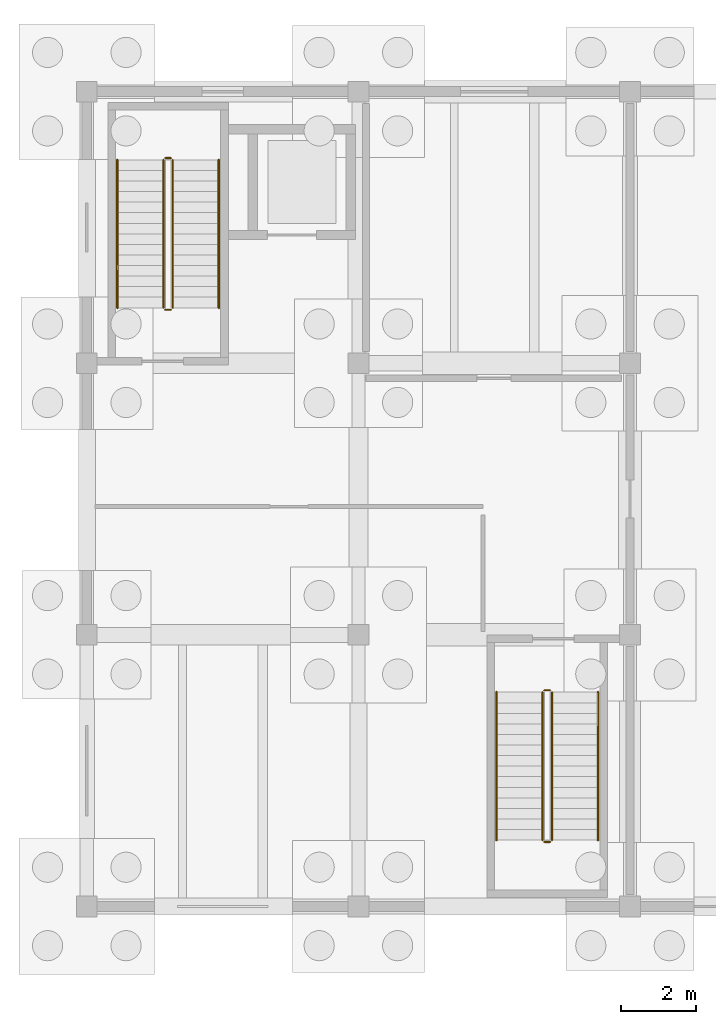
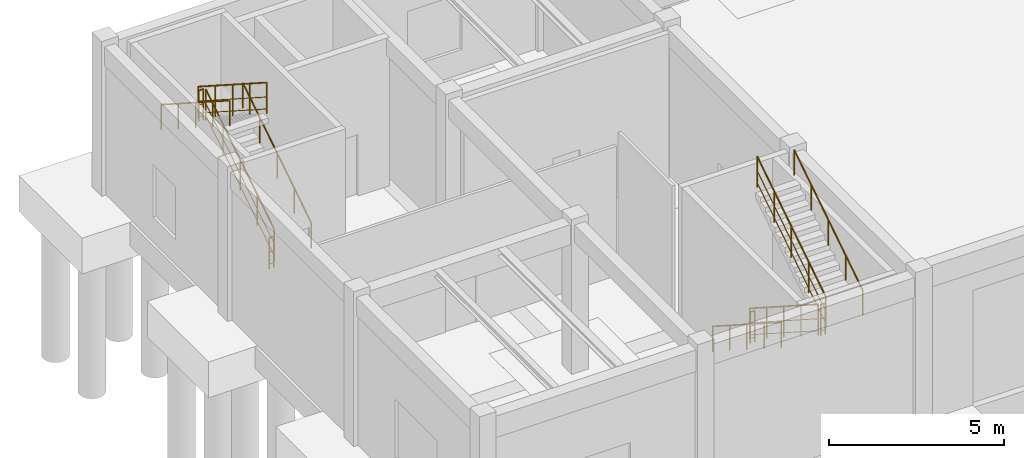
# One storey, part 88 of 93: 12 railings.
"""IFC4 building model written with IfcOpenShell, lengths in metres."""

from ifc_helpers import new_model, si_unit, direction, frame, origin, origin_2d, place, context, subcontext, project, spatial, circle, extrude, material, layer, layer_set, type_object, element, save


model = new_model("IFC4")

# Units and contexts
model_context = context("Model", 3, precision=1e-05, world=origin(), true_north=direction((0.0, 1.0)))
body_context = subcontext(model_context, "Body", "Model", "MODEL_VIEW")
ifc_project = project(units=[si_unit("LENGTHUNIT", "METRE"), si_unit("AREAUNIT", "SQUARE_METRE"), si_unit("VOLUMEUNIT", "CUBIC_METRE"), si_unit("PLANEANGLEUNIT", "RADIAN"), si_unit("MASSUNIT", "GRAM", prefix="KILO")], contexts=[model_context])

# Site, building, storey
site_placement = place(None, origin())
site = spatial("IfcSite", under=ifc_project, at=site_placement, CompositionType="ELEMENT")
building_placement = place(site_placement, origin())
building = spatial("IfcBuilding", under=site, at=building_placement, Name="Koriwan Promenade Central Fire Station", CompositionType="ELEMENT")
storey_placement = place(building_placement, origin())
storey = spatial("IfcBuildingStorey", under=building, at=storey_placement, Name="L00", CompositionType="ELEMENT", Elevation=0.0)

# Railings
ifc_material_1 = material(Name="Steel ASTM A500 Grade C", Category="steel")
ifc_layer_1 = layer(ifc_material_1, 0.050048828125, Name="Steel ASTM A500 Grade C")
ifc_layer_set_1 = layer_set([ifc_layer_1], Name="Steel ASTM A500 Grade C")
railing_type_1 = type_object("IfcRailingType", Name="StairGuard_1100", PredefinedType="BALUSTRADE", material=ifc_layer_set_1)
railing_1_placement = place(storey_placement, frame((2.280029296875, 109.469970703125, 0.179931640625)))
element("IfcRailing", 1, at=railing_1_placement, inside=storey, type_object=railing_type_1, Name="L00 ST32 stair guard 1", PredefinedType="BALUSTRADE", context=body_context, shape_type="SweptSolid", body=[
    extrude(circle(Radius=0.02392578125, at=origin_2d()), frame((0.0, 0.0, 1.076171875), z_axis=(0.0, 0.841171666519, 0.540768182723), x_axis=(-1.0, 0.0, 0.0)), (0.0, 0.0, 1.0), 4.66015625),
    extrude(circle(Radius=0.012939453125, at=origin_2d()), frame((0.0, 0.0, 0.572021484375), z_axis=(0.0, 0.841171666519, 0.540768182723), x_axis=(-1.0, 0.0, 0.0)), (0.0, 0.0, 1.0), 4.66015625),
    extrude(circle(Radius=0.012939453125, at=origin_2d()), frame((0.0, 0.0, 0.154052734375), z_axis=(0.0, 0.841171666519, 0.540768182723), x_axis=(-1.0, 0.0, 0.0)), (0.0, 0.0, 1.0), 4.66015625),
    extrude(circle(Radius=0.02099609375, at=origin_2d()), origin(), (0.0, 0.0, 1.0), 1.052001953125),
    extrude(circle(Radius=0.02099609375, at=origin_2d()), frame((0.0, 0.97998046875, 0.6298828125)), (0.0, 0.0, 1.0), 1.052001953125),
    extrude(circle(Radius=0.02099609375, at=origin_2d()), frame((0.0, 1.9599609375, 1.260009765625)), (0.0, 0.0, 1.0), 1.052001953125),
    extrude(circle(Radius=0.02099609375, at=origin_2d()), frame((0.0, 2.93994140625, 1.89013671875)), (0.0, 0.0, 1.0), 1.052001953125),
    extrude(circle(Radius=0.02099609375, at=origin_2d()), frame((0.0, 3.919921875, 2.52001953125)), (0.0, 0.0, 1.0), 1.052001953125),
])
railing_2_placement = place(storey_placement, frame((2.22998046875, 113.43994140625, 2.699951171875)))
element("IfcRailing", 2, at=railing_2_placement, inside=storey, type_object=railing_type_1, Name="L00 ST32 stair guard 2", PredefinedType="BALUSTRADE", context=body_context, shape_type="SweptSolid", body=[
    extrude(circle(Radius=0.02392578125, at=origin_2d()), frame((0.0, 0.0, 1.076171875), z_axis=(-1.0, 0.0, 0.0), x_axis=(0.0, -1.0, 0.0)), (0.0, 0.0, 1.0), 0.14990234375),
    extrude(circle(Radius=0.012939453125, at=origin_2d()), frame((0.0, 0.0, 0.572021484375), z_axis=(-1.0, 0.0, 0.0), x_axis=(0.0, -1.0, 0.0)), (0.0, 0.0, 1.0), 0.14990234375),
    extrude(circle(Radius=0.012939453125, at=origin_2d()), frame((0.0, 0.0, 0.154052734375), z_axis=(-1.0, 0.0, 0.0), x_axis=(0.0, -1.0, 0.0)), (0.0, 0.0, 1.0), 0.14990234375),
    extrude(circle(Radius=0.02099609375, at=origin_2d()), origin(), (0.0, 0.0, 1.0), 1.052001953125),
    extrude(circle(Radius=0.02099609375, at=origin_2d()), frame((-0.14990234375, 0.0, 0.0)), (0.0, 0.0, 1.0), 1.052001953125),
])
railing_3_placement = place(storey_placement, frame((2.030029296875, 113.389892578125, 2.8798828125)))
element("IfcRailing", 3, at=railing_3_placement, inside=storey, type_object=railing_type_1, Name="L00 ST32 stair guard 3", PredefinedType="BALUSTRADE", context=body_context, shape_type="SweptSolid", body=[
    extrude(circle(Radius=0.02392578125, at=origin_2d()), frame((0.0, 0.0, 1.076171875), z_axis=(0.0, -0.841171666519, 0.540768182723), x_axis=(1.0, 0.0, 0.0)), (0.0, 0.0, 1.0), 4.66015625),
    extrude(circle(Radius=0.012939453125, at=origin_2d()), frame((0.0, 0.0, 0.572021484375), z_axis=(0.0, -0.841171666519, 0.540768182723), x_axis=(1.0, 0.0, 0.0)), (0.0, 0.0, 1.0), 4.66015625),
    extrude(circle(Radius=0.012939453125, at=origin_2d()), frame((0.0, 0.0, 0.154052734375), z_axis=(0.0, -0.841171666519, 0.540768182723), x_axis=(1.0, 0.0, 0.0)), (0.0, 0.0, 1.0), 4.66015625),
    extrude(circle(Radius=0.02099609375, at=origin_2d()), origin(), (0.0, 0.0, 1.0), 1.052001953125),
    extrude(circle(Radius=0.02099609375, at=origin_2d()), frame((0.0, -0.97998046875, 0.6298828125)), (0.0, 0.0, 1.0), 1.052001953125),
    extrude(circle(Radius=0.02099609375, at=origin_2d()), frame((0.0, -1.9599609375, 1.260009765625)), (0.0, 0.0, 1.0), 1.052001953125),
    extrude(circle(Radius=0.02099609375, at=origin_2d()), frame((0.0, -2.93994140625, 1.89013671875)), (0.0, 0.0, 1.0), 1.052001953125),
    extrude(circle(Radius=0.02099609375, at=origin_2d()), frame((0.0, -3.919921875, 2.52001953125)), (0.0, 0.0, 1.0), 1.052001953125),
])
railing_4_placement = place(storey_placement, frame((2.22998046875, 109.419921875, 0.0)))
element("IfcRailing", 4, at=railing_4_placement, inside=storey, type_object=railing_type_1, Name="L00 ST32 stair guard 4", PredefinedType="BALUSTRADE", context=body_context, shape_type="SweptSolid", body=[
    extrude(circle(Radius=0.02392578125, at=origin_2d()), frame((0.0, 0.0, 1.076171875), z_axis=(-1.0, 0.0, 0.0), x_axis=(0.0, -1.0, 0.0)), (0.0, 0.0, 1.0), 0.14990234375),
    extrude(circle(Radius=0.012939453125, at=origin_2d()), frame((0.0, 0.0, 0.572021484375), z_axis=(-1.0, 0.0, 0.0), x_axis=(0.0, -1.0, 0.0)), (0.0, 0.0, 1.0), 0.14990234375),
    extrude(circle(Radius=0.012939453125, at=origin_2d()), frame((0.0, 0.0, 0.154052734375), z_axis=(-1.0, 0.0, 0.0), x_axis=(0.0, -1.0, 0.0)), (0.0, 0.0, 1.0), 0.14990234375),
    extrude(circle(Radius=0.02099609375, at=origin_2d()), origin(), (0.0, 0.0, 1.0), 1.052001953125),
    extrude(circle(Radius=0.02099609375, at=origin_2d()), frame((-0.14990234375, 0.0, 0.0)), (0.0, 0.0, 1.0), 1.052001953125),
])
railing_5_placement = place(storey_placement, frame((12.080078125, 99.280029296875, 0.179931640625)))
element("IfcRailing", 5, at=railing_5_placement, inside=storey, type_object=railing_type_1, Name="L00 ST33 stair guard 1", PredefinedType="BALUSTRADE", context=body_context, shape_type="SweptSolid", body=[
    extrude(circle(Radius=0.02392578125, at=origin_2d()), frame((0.0, 0.0, 1.076171875), z_axis=(0.0, -0.841171666519, 0.540768182723), x_axis=(1.0, 0.0, 0.0)), (0.0, 0.0, 1.0), 4.66015625),
    extrude(circle(Radius=0.012939453125, at=origin_2d()), frame((0.0, 0.0, 0.572021484375), z_axis=(0.0, -0.841171666519, 0.540768182723), x_axis=(1.0, 0.0, 0.0)), (0.0, 0.0, 1.0), 4.66015625),
    extrude(circle(Radius=0.012939453125, at=origin_2d()), frame((0.0, 0.0, 0.154052734375), z_axis=(0.0, -0.841171666519, 0.540768182723), x_axis=(1.0, 0.0, 0.0)), (0.0, 0.0, 1.0), 4.66015625),
    extrude(circle(Radius=0.02099609375, at=origin_2d()), origin(), (0.0, 0.0, 1.0), 1.052001953125),
    extrude(circle(Radius=0.02099609375, at=origin_2d()), frame((0.0, -0.97998046875, 0.6298828125)), (0.0, 0.0, 1.0), 1.052001953125),
    extrude(circle(Radius=0.02099609375, at=origin_2d()), frame((0.0, -1.9599609375, 1.260009765625)), (0.0, 0.0, 1.0), 1.052001953125),
    extrude(circle(Radius=0.02099609375, at=origin_2d()), frame((0.0, -2.93994140625, 1.89013671875)), (0.0, 0.0, 1.0), 1.052001953125),
    extrude(circle(Radius=0.02099609375, at=origin_2d()), frame((0.0, -3.919921875, 2.52001953125)), (0.0, 0.0, 1.0), 1.052001953125),
])
railing_6_placement = place(storey_placement, frame((12.1298828125, 95.31005859375, 2.699951171875)))
element("IfcRailing", 6, at=railing_6_placement, inside=storey, type_object=railing_type_1, Name="L00 ST33 stair guard 2", PredefinedType="BALUSTRADE", context=body_context, shape_type="SweptSolid", body=[
    extrude(circle(Radius=0.02392578125, at=origin_2d()), frame((0.0, 0.0, 1.076171875), z_axis=(1.0, 0.0, 0.0), x_axis=(0.0, 1.0, 0.0)), (0.0, 0.0, 1.0), 0.150146484375),
    extrude(circle(Radius=0.012939453125, at=origin_2d()), frame((0.0, 0.0, 0.572021484375), z_axis=(1.0, 0.0, 0.0), x_axis=(0.0, 1.0, 0.0)), (0.0, 0.0, 1.0), 0.150146484375),
    extrude(circle(Radius=0.012939453125, at=origin_2d()), frame((0.0, 0.0, 0.154052734375), z_axis=(1.0, 0.0, 0.0), x_axis=(0.0, 1.0, 0.0)), (0.0, 0.0, 1.0), 0.150146484375),
    extrude(circle(Radius=0.02099609375, at=origin_2d()), origin(), (0.0, 0.0, 1.0), 1.052001953125),
    extrude(circle(Radius=0.02099609375, at=origin_2d()), frame((0.150146484375, 0.0, 0.0)), (0.0, 0.0, 1.0), 1.052001953125),
])
railing_7_placement = place(storey_placement, frame((12.330078125, 95.360107421875, 2.8798828125)))
element("IfcRailing", 7, at=railing_7_placement, inside=storey, type_object=railing_type_1, Name="L00 ST33 stair guard 3", PredefinedType="BALUSTRADE", context=body_context, shape_type="SweptSolid", body=[
    extrude(circle(Radius=0.02392578125, at=origin_2d()), frame((0.0, 0.0, 1.076171875), z_axis=(0.0, 0.841171666519, 0.540768182723), x_axis=(-1.0, 0.0, 0.0)), (0.0, 0.0, 1.0), 4.66015625),
    extrude(circle(Radius=0.012939453125, at=origin_2d()), frame((0.0, 0.0, 0.572021484375), z_axis=(0.0, 0.841171666519, 0.540768182723), x_axis=(-1.0, 0.0, 0.0)), (0.0, 0.0, 1.0), 4.66015625),
    extrude(circle(Radius=0.012939453125, at=origin_2d()), frame((0.0, 0.0, 0.154052734375), z_axis=(0.0, 0.841171666519, 0.540768182723), x_axis=(-1.0, 0.0, 0.0)), (0.0, 0.0, 1.0), 4.66015625),
    extrude(circle(Radius=0.02099609375, at=origin_2d()), origin(), (0.0, 0.0, 1.0), 1.052001953125),
    extrude(circle(Radius=0.02099609375, at=origin_2d()), frame((0.0, 0.97998046875, 0.6298828125)), (0.0, 0.0, 1.0), 1.052001953125),
    extrude(circle(Radius=0.02099609375, at=origin_2d()), frame((0.0, 1.9599609375, 1.260009765625)), (0.0, 0.0, 1.0), 1.052001953125),
    extrude(circle(Radius=0.02099609375, at=origin_2d()), frame((0.0, 2.93994140625, 1.89013671875)), (0.0, 0.0, 1.0), 1.052001953125),
    extrude(circle(Radius=0.02099609375, at=origin_2d()), frame((0.0, 3.919921875, 2.52001953125)), (0.0, 0.0, 1.0), 1.052001953125),
])
railing_8_placement = place(storey_placement, frame((12.1298828125, 99.330078125, 0.0)))
element("IfcRailing", 8, at=railing_8_placement, inside=storey, type_object=railing_type_1, Name="L00 ST33 stair guard 4", PredefinedType="BALUSTRADE", context=body_context, shape_type="SweptSolid", body=[
    extrude(circle(Radius=0.02392578125, at=origin_2d()), frame((0.0, 0.0, 1.076171875), z_axis=(1.0, 0.0, 0.0), x_axis=(0.0, 1.0, 0.0)), (0.0, 0.0, 1.0), 0.150146484375),
    extrude(circle(Radius=0.012939453125, at=origin_2d()), frame((0.0, 0.0, 0.572021484375), z_axis=(1.0, 0.0, 0.0), x_axis=(0.0, 1.0, 0.0)), (0.0, 0.0, 1.0), 0.150146484375),
    extrude(circle(Radius=0.012939453125, at=origin_2d()), frame((0.0, 0.0, 0.154052734375), z_axis=(1.0, 0.0, 0.0), x_axis=(0.0, 1.0, 0.0)), (0.0, 0.0, 1.0), 0.150146484375),
    extrude(circle(Radius=0.02099609375, at=origin_2d()), origin(), (0.0, 0.0, 1.0), 1.052001953125),
    extrude(circle(Radius=0.02099609375, at=origin_2d()), frame((0.150146484375, 0.0, 0.0)), (0.0, 0.0, 1.0), 1.052001953125),
])
ifc_material_2 = material(Name="Stainless steel 316 tubular handrail", Category="steel")
ifc_layer_2 = layer(ifc_material_2, 0.048095703125, Name="Stainless steel 316 tubular handrail")
ifc_layer_set_2 = layer_set([ifc_layer_2], Name="Stainless steel 316 tubular handrail")
railing_type_2 = type_object("IfcRailingType", Name="StairHandrail_900", PredefinedType="HANDRAIL", material=ifc_layer_set_2)
railing_9_placement = place(storey_placement, frame((3.5, 109.469970703125, 0.179931640625)))
element("IfcRailing", 9, at=railing_9_placement, inside=storey, type_object=railing_type_2, Name="L00 ST32 stair handrail 1", PredefinedType="HANDRAIL", context=body_context, shape_type="SweptSolid", body=[
    extrude(circle(Radius=0.02392578125, at=origin_2d()), frame((0.0, 0.0, 0.8759765625), z_axis=(0.0, 0.841171666519, 0.540768182723), x_axis=(-1.0, 0.0, 0.0)), (0.0, 0.0, 1.0), 4.66015625),
    extrude(circle(Radius=0.02099609375, at=origin_2d()), origin(), (0.0, 0.0, 1.0), 0.851806640625),
    extrude(circle(Radius=0.02099609375, at=origin_2d()), frame((0.0, 0.97998046875, 0.6298828125)), (0.0, 0.0, 1.0), 0.851806640625),
    extrude(circle(Radius=0.02099609375, at=origin_2d()), frame((0.0, 1.9599609375, 1.260009765625)), (0.0, 0.0, 1.0), 0.851806640625),
    extrude(circle(Radius=0.02099609375, at=origin_2d()), frame((0.0, 2.93994140625, 1.89013671875)), (0.0, 0.0, 1.0), 0.851806640625),
    extrude(circle(Radius=0.02099609375, at=origin_2d()), frame((0.0, 3.919921875, 2.52001953125)), (0.0, 0.0, 1.0), 0.851806640625),
])
for number, where, name in (
    (10, (0.81005859375, 113.389892578125, 2.8798828125), "L00 ST32 stair handrail 2"),
    (11, (10.860107421875, 99.280029296875, 0.179931640625), "L00 ST33 stair handrail 1"),
):
    element("IfcRailing", number, at=place(storey_placement, frame(where)), inside=storey, type_object=railing_type_2, Name=name, PredefinedType="HANDRAIL", context=body_context, shape_type="SweptSolid", body=[
        extrude(circle(Radius=0.02392578125, at=origin_2d()), frame((0.0, 0.0, 0.8759765625), z_axis=(0.0, -0.841171666519, 0.540768182723), x_axis=(1.0, 0.0, 0.0)), (0.0, 0.0, 1.0), 4.66015625),
        extrude(circle(Radius=0.02099609375, at=origin_2d()), origin(), (0.0, 0.0, 1.0), 0.851806640625),
        extrude(circle(Radius=0.02099609375, at=origin_2d()), frame((0.0, -0.97998046875, 0.6298828125)), (0.0, 0.0, 1.0), 0.851806640625),
        extrude(circle(Radius=0.02099609375, at=origin_2d()), frame((0.0, -1.9599609375, 1.260009765625)), (0.0, 0.0, 1.0), 0.851806640625),
        extrude(circle(Radius=0.02099609375, at=origin_2d()), frame((0.0, -2.93994140625, 1.89013671875)), (0.0, 0.0, 1.0), 0.851806640625),
        extrude(circle(Radius=0.02099609375, at=origin_2d()), frame((0.0, -3.919921875, 2.52001953125)), (0.0, 0.0, 1.0), 0.851806640625),
    ])
railing_10_placement = place(storey_placement, frame((13.550048828125, 95.360107421875, 2.8798828125)))
element("IfcRailing", 12, at=railing_10_placement, inside=storey, type_object=railing_type_2, Name="L00 ST33 stair handrail 2", PredefinedType="HANDRAIL", context=body_context, shape_type="SweptSolid", body=[
    extrude(circle(Radius=0.02392578125, at=origin_2d()), frame((0.0, 0.0, 0.8759765625), z_axis=(0.0, 0.841171666519, 0.540768182723), x_axis=(-1.0, 0.0, 0.0)), (0.0, 0.0, 1.0), 4.66015625),
    extrude(circle(Radius=0.02099609375, at=origin_2d()), origin(), (0.0, 0.0, 1.0), 0.851806640625),
    extrude(circle(Radius=0.02099609375, at=origin_2d()), frame((0.0, 0.97998046875, 0.6298828125)), (0.0, 0.0, 1.0), 0.851806640625),
    extrude(circle(Radius=0.02099609375, at=origin_2d()), frame((0.0, 1.9599609375, 1.260009765625)), (0.0, 0.0, 1.0), 0.851806640625),
    extrude(circle(Radius=0.02099609375, at=origin_2d()), frame((0.0, 2.93994140625, 1.89013671875)), (0.0, 0.0, 1.0), 0.851806640625),
    extrude(circle(Radius=0.02099609375, at=origin_2d()), frame((0.0, 3.919921875, 2.52001953125)), (0.0, 0.0, 1.0), 0.851806640625),
])

save(model, "model.ifc")
